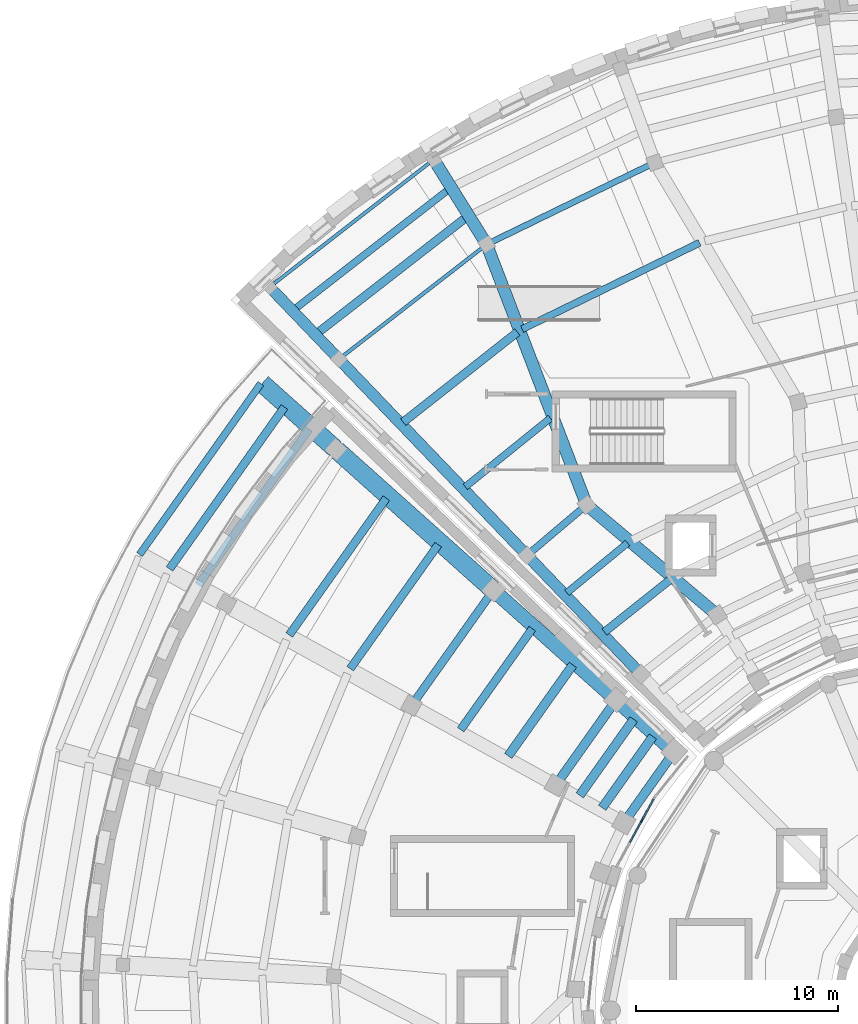
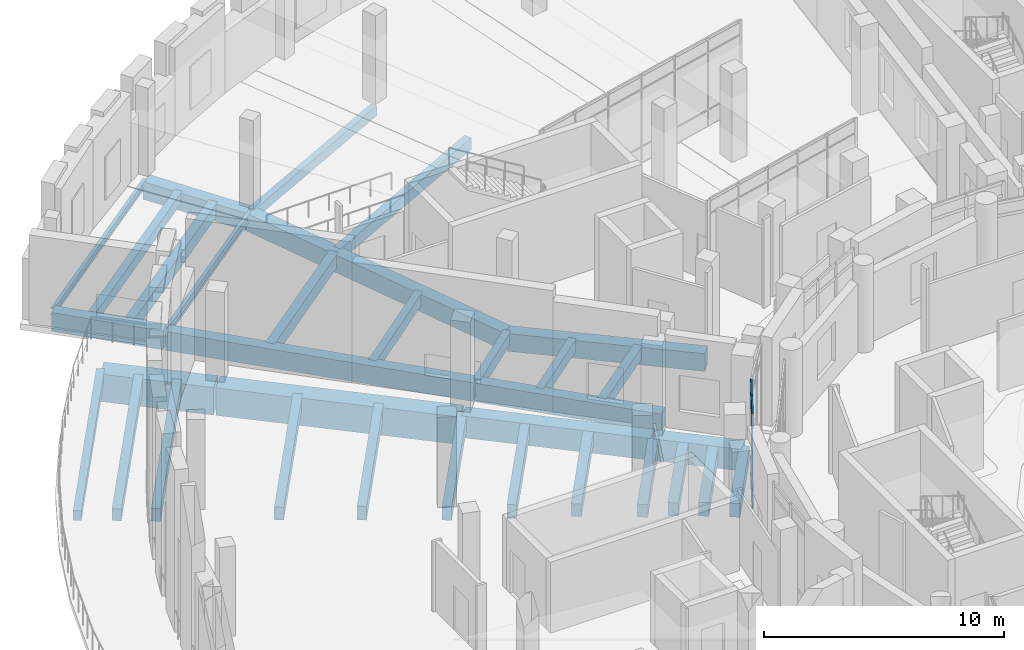
# One storey, part 18 of 75: 33 beams, 9 members, 1 element without a shape of its own.
"""IFC4 building model written with IfcOpenShell, lengths in metres."""

import ifcopenshell
import ifcopenshell.guid

model = None  # the IFC model being written
_history = None  # IfcOwnerHistory: only IFC2X3 demands one
_inside = {}  # id of a spatial element -> (the spatial element, [elements in it])
_under = {}  # id of a project, library or spatial element -> (it, [spatial elements below it])
_declared = {}  # id of a project -> (the project, [libraries it declares])
_typed = {}  # id of a type object -> (the type object, [elements of that type])
_made_of = {}  # id of a material, layer set ... -> (it, [elements and type objects made of it])


def new_model(schema):
    """Start an empty IFC model of exactly this schema.

    Asked for "IFC4X3", IfcOpenShell would pick the latest addendum, in which some entities
    have other attributes; the version numbers below select the first issue.
    IFC2X3 requires an IfcOwnerHistory on every rooted entity: one is made here for all.
    """
    global model, _history
    if schema == "IFC4X3":
        model = ifcopenshell.file(schema_version=(4, 3, 0, 0))
    else:
        model = ifcopenshell.file(schema=schema)
    _inside.clear()
    _under.clear()
    _declared.clear()
    _typed.clear()
    _made_of.clear()
    _history = None
    if model.schema == "IFC2X3":
        org = make("IfcOrganization", Name="unknown")
        user = make(
            "IfcPersonAndOrganization",
            ThePerson=make("IfcPerson", FamilyName="unknown"),
            TheOrganization=org,
        )
        app = make(
            "IfcApplication",
            ApplicationDeveloper=org,
            Version="unknown",
            ApplicationFullName="unknown",
            ApplicationIdentifier="unknown",
        )
        _history = make(
            "IfcOwnerHistory",
            OwningUser=user,
            OwningApplication=app,
            ChangeAction="ADDED",
            CreationDate=0,
        )
    return model


def make(cls, **values):
    """One entity of the class cls with the attributes given. An attribute that is None is left unset."""
    return model.create_entity(
        cls, **{name: value for name, value in values.items() if value is not None}
    )


def rooted(cls, **values):
    """An entity with a GlobalId (a new one), such as an element, a storey or a relation."""
    return make(cls, GlobalId=ifcopenshell.guid.new(), OwnerHistory=_history, **values)


def si_unit(unit_type, name, prefix=None):
    """IfcSIUnit, for example si_unit("LENGTHUNIT", "METRE", prefix="MILLI")."""
    return make("IfcSIUnit", UnitType=unit_type, Prefix=prefix, Name=name)


def assignment(units):
    """IfcUnitAssignment: the units of a project."""
    return None if units is None else make("IfcUnitAssignment", Units=units)


def point(xyz):
    """IfcCartesianPoint."""
    return None if xyz is None else make("IfcCartesianPoint", Coordinates=xyz)


def direction(xyz):
    """IfcDirection."""
    return None if xyz is None else make("IfcDirection", DirectionRatios=xyz)


def frame(location, z_axis=None, x_axis=None):
    """IfcAxis2Placement3D, a coordinate frame: its origin and axes. An axis left out is left unset."""
    return make(
        "IfcAxis2Placement3D",
        Location=point(location),
        Axis=direction(z_axis),
        RefDirection=direction(x_axis),
    )


def frame_2d(location, x_axis=None):
    """IfcAxis2Placement2D, a coordinate frame in the plane: its origin and x axis."""
    return make(
        "IfcAxis2Placement2D", Location=point(location), RefDirection=direction(x_axis)
    )


def origin():
    """The frame at (0, 0, 0) with its axes left unset."""
    return frame((0.0, 0.0, 0.0))


def origin_2d():
    """The frame at (0, 0) in the plane with its x axis left unset."""
    return frame_2d((0.0, 0.0))


def place(relative_to, where):
    """IfcLocalPlacement: puts the frame where relative to a parent placement (None: the world)."""
    return make(
        "IfcLocalPlacement", PlacementRelTo=relative_to, RelativePlacement=where
    )


def context(
    kind, dimensions, precision=None, world=None, true_north=None, identifier=None
):
    """IfcGeometricRepresentationContext, for example the 3D "Model" context."""
    return make(
        "IfcGeometricRepresentationContext",
        ContextIdentifier=identifier,
        ContextType=kind,
        CoordinateSpaceDimension=dimensions,
        Precision=precision,
        WorldCoordinateSystem=world,
        TrueNorth=true_north,
    )


def subcontext(parent, identifier, kind, view, scale=None):
    """IfcGeometricRepresentationSubContext, for example "Body" below "Model"."""
    return make(
        "IfcGeometricRepresentationSubContext",
        ContextIdentifier=identifier,
        ContextType=kind,
        ParentContext=parent,
        TargetScale=scale,
        TargetView=view,
    )


def project(units=None, contexts=None):
    """IfcProject with its units and contexts."""
    return rooted(
        "IfcProject",
        Name="project",
        RepresentationContexts=contexts,
        UnitsInContext=assignment(units),
    )


def spatial(cls, under=None, at=None, **own):
    """A site, building, storey or space (cls), placed at a placement, below another one or the project."""
    s = rooted(cls, ObjectPlacement=at, **own)
    if under is not None:
        _under.setdefault(under.id(), (under, []))[1].append(s)
    return s


def profile(cls, at=None, kind="AREA", **sizes):
    """A parametric profile (cls). Its sizes go by their IFC names, for example OverallWidth=200.0."""
    return make(cls, ProfileType=kind, Position=at, **sizes)


def rectangle(**sizes):
    """IfcRectangleProfileDef."""
    return profile("IfcRectangleProfileDef", **sizes)


def i_section(**sizes):
    """IfcIShapeProfileDef."""
    return profile("IfcIShapeProfileDef", **sizes)


def extrude(swept, where, along, depth):
    """IfcExtrudedAreaSolid: the profile swept, set in the frame where, extruded along a direction by depth."""
    return make(
        "IfcExtrudedAreaSolid",
        SweptArea=swept,
        Position=where,
        ExtrudedDirection=direction(along),
        Depth=depth,
    )


def shape(context_of_items, identifier, shape_type, items):
    """IfcShapeRepresentation: the items that make up one representation, for example the "Body"."""
    return make(
        "IfcShapeRepresentation",
        ContextOfItems=context_of_items,
        RepresentationIdentifier=identifier,
        RepresentationType=shape_type,
        Items=items,
    )


def material(Name=None, Category=None):
    """IfcMaterial."""
    return make("IfcMaterial", Name=Name, Category=Category)


def material_profile(
    of_material, cross_section, Name=None, Category=None, Priority=None
):
    """IfcMaterialProfile: a cross section and its material."""
    return make(
        "IfcMaterialProfile",
        Name=Name,
        Material=of_material,
        Profile=cross_section,
        Priority=Priority,
        Category=Category,
    )


def profile_set(profiles, Name=None, composite=None):
    """IfcMaterialProfileSet."""
    return make(
        "IfcMaterialProfileSet",
        Name=Name,
        MaterialProfiles=profiles,
        CompositeProfile=composite,
    )


def made_of(thing, what):
    """Note that an element or type object is made of a material, layer set ...; save() writes the relation."""
    if what is not None:
        _made_of.setdefault(what.id(), (what, []))[1].append(thing)
    return thing


def type_object(cls, material=None, **own):
    """A type object (cls), such as IfcWallType, which elements share."""
    return made_of(rooted(cls, **own), material)


def element(
    cls,
    number,
    at=None,
    inside=None,
    cuts=None,
    type_object=None,
    material=None,
    context=None,
    identifier="Body",
    shape_type=None,
    held_by="IfcProductDefinitionShape",
    body=None,
    shapes=None,
    **own,
):
    """One element of the class cls, such as IfcWall. Its Tag is "e" and its number.

    at: its placement. inside: the storey or other place that contains it. cuts: it is an
    opening in that element (IfcRelVoidsElement). A single representation is given by context,
    identifier, shape_type and body (its items); several are given by shapes. held_by: the class
    of the entity that holds the representations. save() writes the other relations.
    """
    e = rooted(cls, Tag="e%d" % number, ObjectPlacement=at, **own)
    if body is not None:
        shapes = [shape(context, identifier, shape_type, body)]
    if shapes is not None:
        e.Representation = make(held_by, Representations=shapes)
    if inside is not None:
        _inside.setdefault(inside.id(), (inside, []))[1].append(e)
    if cuts is not None:
        rooted(
            "IfcRelVoidsElement", RelatingBuildingElement=cuts, RelatedOpeningElement=e
        )
    if type_object is not None:
        _typed.setdefault(type_object.id(), (type_object, []))[1].append(e)
    return made_of(e, material)


def aggregate(whole, parts):
    """IfcRelAggregates: a whole, such as a stair, and the parts it consists of."""
    return rooted("IfcRelAggregates", RelatingObject=whole, RelatedObjects=parts)


def save(model, path):
    """Write the relations noted so far, then the file.

    IfcRelAggregates (storeys below a building ...), IfcRelContainedInSpatialStructure (elements
    in a storey), IfcRelDefinesByType, IfcRelAssociatesMaterial and IfcRelDeclares: one each for
    every whole, place, type object, material and project.
    """
    for whole, parts in _under.values():
        aggregate(whole, parts)
    for where, things in _inside.values():
        rooted(
            "IfcRelContainedInSpatialStructure",
            RelatedElements=things,
            RelatingStructure=where,
        )
    for kind, things in _typed.values():
        rooted("IfcRelDefinesByType", RelatedObjects=things, RelatingType=kind)
    for what, things in _made_of.values():
        rooted("IfcRelAssociatesMaterial", RelatedObjects=things, RelatingMaterial=what)
    for by, libraries in _declared.values():
        rooted("IfcRelDeclares", RelatingContext=by, RelatedDefinitions=libraries)
    model.write(path)


model = new_model("IFC4")

# Units and contexts
model_context = context("Model", 3, precision=1e-05, world=origin(), true_north=direction((0.0, 1.0)))
body_context = subcontext(model_context, "Body", "Model", "MODEL_VIEW")
ifc_project = project(units=[si_unit("LENGTHUNIT", "METRE"), si_unit("AREAUNIT", "SQUARE_METRE"), si_unit("VOLUMEUNIT", "CUBIC_METRE"), si_unit("PLANEANGLEUNIT", "RADIAN"), si_unit("MASSUNIT", "GRAM", prefix="KILO")], contexts=[model_context])

# Site, building, storey
site_placement = place(None, origin())
site = spatial("IfcSite", under=ifc_project, at=site_placement, CompositionType="ELEMENT")
building_placement = place(site_placement, origin())
building = spatial("IfcBuilding", under=site, at=building_placement, Name="Soyqirgoq Riverine Aquarium", CompositionType="ELEMENT")
storey_placement = place(building_placement, frame((0.0, 0.0, 10.199951171875)))
storey = spatial("IfcBuildingStorey", under=building, at=storey_placement, Name="L03", CompositionType="ELEMENT", Elevation=10.199951171875)

# Beams
ifc_material_1 = material(Name="Concrete C40/50", Category="concrete")
ifc_material_profile_1 = material_profile(ifc_material_1, rectangle(XDim=0.35009765625, YDim=0.60009765625, at=origin_2d()), Name="RC 350x600")
ifc_profile_set_1 = profile_set([ifc_material_profile_1], Name="Concrete C40/50")
beam_type_1 = type_object("IfcBeamType", Name="Beam_RC_350x600", PredefinedType="JOIST", material=ifc_profile_set_1)
beam_1_placement = place(storey_placement, frame((39.37939453125, 80.12939453125, -0.599853515625), z_axis=(-0.773357757344, -0.633969856662, 0.0), x_axis=(0.633969856662, -0.773357757344, 0.0)))
element("IfcBeam", 1, at=beam_1_placement, inside=storey, type_object=beam_type_1, Name="V4 L03 Secondary Floor Joist 0649", PredefinedType="JOIST", context=body_context, shape_type="SweptSolid", body=[
    extrude(rectangle(XDim=0.35009765625, YDim=0.60009765625, at=origin_2d()), origin(), (0.0, 0.0, 1.0), 3.884765625),
])
beam_2_placement = place(storey_placement, frame((37.31591796875, 81.983154296875, -0.599853515625), z_axis=(-0.763221409659, -0.646137044162, 0.0), x_axis=(0.646137044162, -0.763221409659, 0.0)))
element("IfcBeam", 2, at=beam_2_placement, inside=storey, type_object=beam_type_1, Name="V4 L03 Wedge Chord Beam 0652", PredefinedType="JOIST", context=body_context, shape_type="SweptSolid", body=[
    extrude(rectangle(XDim=0.35009765625, YDim=0.60009765625, at=origin_2d()), origin(), (0.0, 0.0, 1.0), 3.763671875),
])
beam_3_placement = place(storey_placement, frame((42.94287109375, 94.98583984375, -0.599853515625), z_axis=(-0.899181906839, -0.437575020326, 0.0), x_axis=(0.437575020326, -0.899181906839, 0.0)))
element("IfcBeam", 3, at=beam_3_placement, inside=storey, type_object=beam_type_1, Name="V4 L03 Secondary Floor Joist 0657", PredefinedType="JOIST", context=body_context, shape_type="SweptSolid", body=[
    extrude(rectangle(XDim=0.35009765625, YDim=0.60009765625, at=origin_2d()), origin(), (0.0, 0.0, 1.0), 9.762939453125),
])
beam_4_placement = place(storey_placement, frame((35.5625, 86.310302734375, -0.599853515625), z_axis=(-0.777984399039, -0.628283594288, 0.0), x_axis=(0.628283594288, -0.777984399039, 0.0)))
element("IfcBeam", 4, at=beam_4_placement, inside=storey, type_object=beam_type_1, Name="V4 L03 Secondary Floor Joist 0658", PredefinedType="JOIST", context=body_context, shape_type="SweptSolid", body=[
    extrude(rectangle(XDim=0.35009765625, YDim=0.60009765625, at=origin_2d()), origin(), (0.0, 0.0, 1.0), 5.416015625),
])
ifc_material_2 = material(Name="Concrete C40/50", Category="concrete")
ifc_material_profile_2 = material_profile(ifc_material_2, rectangle(XDim=0.39990234375, YDim=0.60009765625, at=origin_2d()), Name="RC 400x600")
ifc_profile_set_2 = profile_set([ifc_material_profile_2], Name="Concrete C40/50")
beam_type_2 = type_object("IfcBeamType", Name="Beam_RC_400x600", PredefinedType="JOIST", material=ifc_profile_set_2)
beam_5_placement = place(storey_placement, frame((22.3974609375, 86.857421875, -0.579833984375), z_axis=(-0.578552362778, -0.815645243671, 0.0), x_axis=(0.815645243671, -0.578552362778, 0.0)))
element("IfcBeam", 5, at=beam_5_placement, inside=storey, type_object=beam_type_2, Name="V3 L03 Secondary Floor Joist 0455", PredefinedType="JOIST", context=body_context, shape_type="SweptSolid", body=[
    extrude(rectangle(XDim=0.39990234375, YDim=0.60009765625, at=origin_2d()), origin(), (0.0, 0.0, 1.0), 9.822509765625),
])
beam_6_placement = place(storey_placement, frame((41.51171875, 78.33349609375, -0.599853515625), z_axis=(-0.78199960061, -0.623278930051, 0.0), x_axis=(0.623278930051, -0.78199960061, 0.0)))
element("IfcBeam", 6, at=beam_6_placement, inside=storey, type_object=beam_type_2, Name="V4 L03 Secondary Floor Joist 0648", PredefinedType="JOIST", context=body_context, shape_type="SweptSolid", body=[
    extrude(rectangle(XDim=0.39990234375, YDim=0.60009765625, at=origin_2d()), origin(), (0.0, 0.0, 1.0), 4.18701171875),
])
ifc_material_3 = material(Name="Concrete C40/50", Category="concrete")
ifc_material_profile_3 = material_profile(ifc_material_3, rectangle(XDim=0.39990234375, YDim=0.64990234375, at=origin_2d()), Name="RC 400x650")
ifc_profile_set_3 = profile_set([ifc_material_profile_3], Name="Concrete C40/50")
beam_type_3 = type_object("IfcBeamType", Name="Beam_RC_400x650", PredefinedType="BEAM", material=ifc_profile_set_3)
beam_7_placement = place(storey_placement, frame((27.440673828125, 82.348388671875, -0.60498046875), z_axis=(-0.57857035961, -0.815632477885, 0.0), x_axis=(0.815632477885, -0.57857035961, 0.0)))
element("IfcBeam", 7, at=beam_7_placement, inside=storey, type_object=beam_type_3, Name="V3 L03 Secondary Floor Joist 0443", PredefinedType="BEAM", context=body_context, shape_type="SweptSolid", body=[
    extrude(rectangle(XDim=0.39990234375, YDim=0.64990234375, at=origin_2d()), origin(), (0.0, 0.0, 1.0), 8.302734375),
])
beam_8_placement = place(storey_placement, frame((23.615234375, 85.768798828125, -0.60498046875), z_axis=(-0.578563092145, -0.815637633026, 0.0), x_axis=(0.815637633026, -0.578563092145, 0.0)))
element("IfcBeam", 8, at=beam_8_placement, inside=storey, type_object=beam_type_3, Name="V3 L03 Secondary Floor Joist 0454", PredefinedType="BEAM", context=body_context, shape_type="SweptSolid", body=[
    extrude(rectangle(XDim=0.39990234375, YDim=0.64990234375, at=origin_2d()), origin(), (0.0, 0.0, 1.0), 9.45556640625),
])
ifc_material_4 = material(Name="Concrete C40/50", Category="concrete")
ifc_material_profile_4 = material_profile(ifc_material_4, rectangle(XDim=0.39990234375, YDim=0.699951171875, at=origin_2d()), Name="RC 400x700")
ifc_profile_set_4 = profile_set([ifc_material_profile_4], Name="Concrete C40/50")
beam_type_4 = type_object("IfcBeamType", Name="Beam_RC_400x700", PredefinedType="BEAM", material=ifc_profile_set_4)
beam_9_placement = place(storey_placement, frame((34.6650390625, 75.888916015625, -0.6298828125), z_axis=(-0.578565717674, -0.815635770631, 0.0), x_axis=(0.815635770631, -0.578565717674, 0.0)))
element("IfcBeam", 9, at=beam_9_placement, inside=storey, type_object=beam_type_4, Name="V3 L03 Secondary Floor Joist 0437", PredefinedType="BEAM", context=body_context, shape_type="SweptSolid", body=[
    extrude(rectangle(XDim=0.39990234375, YDim=0.699951171875, at=origin_2d()), origin(), (0.0, 0.0, 1.0), 6.12548828125),
])
beam_10_placement = place(storey_placement, frame((32.712158203125, 77.7548828125, -0.6298828125), z_axis=(-0.578577957478, -0.81562708827, 0.0), x_axis=(0.81562708827, -0.578577957478, 0.0)))
element("IfcBeam", 10, at=beam_10_placement, inside=storey, type_object=beam_type_4, Name="V3 L03 Wedge Chord Beam 0438", PredefinedType="BEAM", context=body_context, shape_type="SweptSolid", body=[
    extrude(rectangle(XDim=0.39990234375, YDim=0.699951171875, at=origin_2d()), origin(), (0.0, 0.0, 1.0), 6.90966796875),
])
beam_11_placement = place(storey_placement, frame((30.011474609375, 80.0498046875, -0.6298828125), z_axis=(-0.578566097218, -0.815635501403, 0.0), x_axis=(0.815635501403, -0.578566097218, 0.0)))
element("IfcBeam", 11, at=beam_11_placement, inside=storey, type_object=beam_type_4, Name="V3 L03 Secondary Floor Joist 0442", PredefinedType="BEAM", context=body_context, shape_type="SweptSolid", body=[
    extrude(rectangle(XDim=0.39990234375, YDim=0.699951171875, at=origin_2d()), origin(), (0.0, 0.0, 1.0), 7.528076171875),
])
ifc_material_5 = material(Name="Concrete C40/50", Category="concrete")
ifc_material_profile_5 = material_profile(ifc_material_5, rectangle(XDim=0.419921875, YDim=0.679931640625, at=origin_2d()), Name="RC 420x680")
ifc_profile_set_5 = profile_set([ifc_material_profile_5], Name="Concrete C40/50")
beam_type_5 = type_object("IfcBeamType", Name="Beam_RC_420x680", PredefinedType="BEAM", material=ifc_profile_set_5)
beam_12_placement = place(storey_placement, frame((33.928466796875, 90.56591796875, -0.639892578125), z_axis=(-0.785202231004, -0.619239417694, 0.0), x_axis=(0.619239417694, -0.785202231004, 0.0)))
element("IfcBeam", 12, at=beam_12_placement, inside=storey, type_object=beam_type_5, Name="V4 L03 Secondary Floor Joist 0659", PredefinedType="BEAM", context=body_context, shape_type="SweptSolid", body=[
    extrude(rectangle(XDim=0.419921875, YDim=0.679931640625, at=origin_2d()), origin(), (0.0, 0.0, 1.0), 7.1962890625),
])
beam_13_placement = place(storey_placement, frame((31.4052734375, 96.24951171875, -0.639892578125), z_axis=(-0.789610111246, -0.6136088919, 0.0), x_axis=(0.6136088919, -0.789610111246, 0.0)))
element("IfcBeam", 13, at=beam_13_placement, inside=storey, type_object=beam_type_5, Name="V4 L03 Secondary Floor Joist 0670", PredefinedType="BEAM", context=body_context, shape_type="SweptSolid", body=[
    extrude(rectangle(XDim=0.419921875, YDim=0.679931640625, at=origin_2d()), origin(), (0.0, 0.0, 1.0), 9.325927734375),
])
ifc_material_6 = material(Name="Concrete C40/50", Category="concrete")
ifc_material_profile_6 = material_profile(ifc_material_6, rectangle(XDim=0.449951171875, YDim=0.64990234375, at=origin_2d()), Name="RC 450x650")
ifc_profile_set_6 = profile_set([ifc_material_profile_6], Name="Concrete C40/50")
beam_type_6 = type_object("IfcBeamType", Name="Beam_RC_450x650", PredefinedType="BEAM", material=ifc_profile_set_6)
beam_14_placement = place(storey_placement, frame((39.682861328125, 71.402587890625, -0.60498046875), z_axis=(-0.578551706163, -0.81564570942, 0.0), x_axis=(0.81564570942, -0.578551706163, 0.0)))
element("IfcBeam", 14, at=beam_14_placement, inside=storey, type_object=beam_type_6, Name="V3 L03 Secondary Floor Joist 0434", PredefinedType="BEAM", context=body_context, shape_type="SweptSolid", body=[
    extrude(rectangle(XDim=0.449951171875, YDim=0.64990234375, at=origin_2d()), origin(), (0.0, 0.0, 1.0), 4.613037109375),
])
beam_15_placement = place(storey_placement, frame((38.787841796875, 72.32275390625, -0.60498046875), z_axis=(-0.578584051574, -0.815622765293, 0.0), x_axis=(0.815622765293, -0.578584051574, 0.0)))
element("IfcBeam", 15, at=beam_15_placement, inside=storey, type_object=beam_type_6, Name="V3 L03 Wedge Chord Beam 0435", PredefinedType="BEAM", context=body_context, shape_type="SweptSolid", body=[
    extrude(rectangle(XDim=0.449951171875, YDim=0.64990234375, at=origin_2d()), origin(), (0.0, 0.0, 1.0), 5.078857421875),
])
beam_16_placement = place(storey_placement, frame((36.670166015625, 74.096435546875, -0.60498046875), z_axis=(-0.578579091577, -0.815626283778, 0.0), x_axis=(0.815626283778, -0.578579091577, 0.0)))
element("IfcBeam", 16, at=beam_16_placement, inside=storey, type_object=beam_type_6, Name="V3 L03 Secondary Floor Joist 0436", PredefinedType="BEAM", context=body_context, shape_type="SweptSolid", body=[
    extrude(rectangle(XDim=0.449951171875, YDim=0.64990234375, at=origin_2d()), origin(), (0.0, 0.0, 1.0), 5.521484375),
])
ifc_material_7 = material(Name="Concrete C40/50", Category="concrete")
ifc_material_profile_7 = material_profile(ifc_material_7, rectangle(XDim=0.449951171875, YDim=0.699951171875, at=origin_2d()), Name="RC 450x700")
ifc_profile_set_7 = profile_set([ifc_material_profile_7], Name="Concrete C40/50")
beam_type_7 = type_object("IfcBeamType", Name="Beam_RC_450x700", PredefinedType="BEAM", material=ifc_profile_set_7)
beam_17_placement = place(storey_placement, frame((41.657958984375, 69.756591796875, -0.6298828125), z_axis=(-0.578587890745, -0.81562004186, 0.0), x_axis=(0.81562004186, -0.578587890745, 0.0)))
element("IfcBeam", 17, at=beam_17_placement, inside=storey, type_object=beam_type_7, Name="V3 L03 Wedge Chord Beam 0429", PredefinedType="BEAM", context=body_context, shape_type="SweptSolid", body=[
    extrude(rectangle(XDim=0.449951171875, YDim=0.699951171875, at=origin_2d()), origin(), (0.0, 0.0, 1.0), 4.213623046875),
])
beam_18_placement = place(storey_placement, frame((40.630126953125, 70.5556640625, -0.6298828125), z_axis=(-0.578577557542, -0.815627371971, 0.0), x_axis=(0.815627371971, -0.578577557542, 0.0)))
element("IfcBeam", 18, at=beam_18_placement, inside=storey, type_object=beam_type_7, Name="V3 L03 Secondary Floor Joist 0433", PredefinedType="BEAM", context=body_context, shape_type="SweptSolid", body=[
    extrude(rectangle(XDim=0.449951171875, YDim=0.699951171875, at=origin_2d()), origin(), (0.0, 0.0, 1.0), 4.32763671875),
])

# Curtain wall, members
ifc_material_8 = material(Name="Anodised aluminium thermally broken double low-E glazing", Category="aluminium")
curtain_wall_type = type_object("IfcCurtainWallType", Name="CW_Wedge_NorthBay", PredefinedType="NOTDEFINED", material=ifc_material_8)
curtain_wall_placement = place(storey_placement, origin())
curtain_wall = element("IfcCurtainWall", 19, at=curtain_wall_placement, inside=storey, type_object=curtain_wall_type, Name="V3 L03 Curtain Wall 085", PredefinedType="NOTDEFINED")
ifc_material_9 = material(Name="Anodised aluminium 6063-T6", Category="aluminium")
ifc_material_profile_8 = material_profile(ifc_material_9, rectangle(XDim=0.080078125, YDim=0.219970703125, at=origin_2d()), Name="ALU-M 80x220")
ifc_profile_set_8 = profile_set([ifc_material_profile_8], Name="Anodised aluminium 6063-T6")
member_type_1 = type_object("IfcMemberType", Name="CWMullion_80x220", PredefinedType="MULLION", material=ifc_profile_set_8)
member_1_placement = place(storey_placement, frame((40.089111328125, 66.400390625, 0.0), z_axis=(0.0, 0.0, 1.0), x_axis=(0.876811350866, -0.480834540141, 0.0)))
member_1 = element("IfcMember", 20, at=member_1_placement, type_object=member_type_1, Name="CW-03 mullion 2", PredefinedType="MULLION", context=body_context, shape_type="SweptSolid", body=[
    extrude(rectangle(XDim=0.080078125, YDim=0.219970703125, at=origin_2d()), origin(), (0.0, 0.0, 1.0), 4.81005859375),
])
ifc_material_10 = material(Name="Anodised aluminium 6063-T6", Category="aluminium")
ifc_material_profile_9 = material_profile(ifc_material_10, rectangle(XDim=0.074951171875, YDim=0.14990234375, at=origin_2d()), Name="ALU-T 75x150")
ifc_profile_set_9 = profile_set([ifc_material_profile_9], Name="Anodised aluminium 6063-T6")
member_type_2 = type_object("IfcMemberType", Name="CWTransom_75x150", PredefinedType="USERDEFINED", material=ifc_profile_set_9)
member_2_placement = place(storey_placement, frame((40.668701171875, 67.457763671875, 0.03759765625), z_axis=(-0.480817030649, -0.876820952668, 0.0), x_axis=(0.876820952668, -0.480817030649, 0.0)))
member_2 = element("IfcMember", 21, at=member_2_placement, type_object=member_type_2, Name="CW-03 transom 1.1", ObjectType="TRANSOM", PredefinedType="USERDEFINED", context=body_context, shape_type="SweptSolid", body=[
    extrude(rectangle(XDim=0.074951171875, YDim=0.14990234375, at=origin_2d()), origin(), (0.0, 0.0, 1.0), 1.165771484375),
])
member_3_placement = place(storey_placement, frame((40.668701171875, 67.457763671875, 0.900146484375), z_axis=(-0.480817030649, -0.876820952668, 0.0), x_axis=(0.876820952668, -0.480817030649, 0.0)))
member_3 = element("IfcMember", 22, at=member_3_placement, type_object=member_type_2, Name="CW-03 transom 1.2", ObjectType="TRANSOM", PredefinedType="USERDEFINED", context=body_context, shape_type="SweptSolid", body=[
    extrude(rectangle(XDim=0.074951171875, YDim=0.14990234375, at=origin_2d()), origin(), (0.0, 0.0, 1.0), 1.165771484375),
])
member_4_placement = place(storey_placement, frame((40.668701171875, 67.457763671875, 4.110107421875), z_axis=(-0.480817030649, -0.876820952668, 0.0), x_axis=(0.876820952668, -0.480817030649, 0.0)))
member_4 = element("IfcMember", 23, at=member_4_placement, type_object=member_type_2, Name="CW-03 transom 1.3", ObjectType="TRANSOM", PredefinedType="USERDEFINED", context=body_context, shape_type="SweptSolid", body=[
    extrude(rectangle(XDim=0.074951171875, YDim=0.14990234375, at=origin_2d()), origin(), (0.0, 0.0, 1.0), 1.165771484375),
])
member_5_placement = place(storey_placement, frame((40.668701171875, 67.457763671875, 4.7724609375), z_axis=(-0.480817030649, -0.876820952668, 0.0), x_axis=(0.876820952668, -0.480817030649, 0.0)))
member_5 = element("IfcMember", 24, at=member_5_placement, type_object=member_type_2, Name="CW-03 transom 1.4", ObjectType="TRANSOM", PredefinedType="USERDEFINED", context=body_context, shape_type="SweptSolid", body=[
    extrude(rectangle(XDim=0.074951171875, YDim=0.14990234375, at=origin_2d()), origin(), (0.0, 0.0, 1.0), 1.165771484375),
])
member_6_placement = place(storey_placement, frame((40.06982421875, 66.365478515625, 0.03759765625), z_axis=(-0.480907934802, -0.876771097975, 0.0), x_axis=(0.876771097975, -0.480907934802, 0.0)))
member_6 = element("IfcMember", 25, at=member_6_placement, type_object=member_type_2, Name="CW-03 transom 2.1", ObjectType="TRANSOM", PredefinedType="USERDEFINED", context=body_context, shape_type="SweptSolid", body=[
    extrude(rectangle(XDim=0.074951171875, YDim=0.14990234375, at=origin_2d()), origin(), (0.0, 0.0, 1.0), 1.205810546875),
])
member_7_placement = place(storey_placement, frame((40.06982421875, 66.365478515625, 0.900146484375), z_axis=(-0.480907934802, -0.876771097975, 0.0), x_axis=(0.876771097975, -0.480907934802, 0.0)))
member_7 = element("IfcMember", 26, at=member_7_placement, type_object=member_type_2, Name="CW-03 transom 2.2", ObjectType="TRANSOM", PredefinedType="USERDEFINED", context=body_context, shape_type="SweptSolid", body=[
    extrude(rectangle(XDim=0.074951171875, YDim=0.14990234375, at=origin_2d()), origin(), (0.0, 0.0, 1.0), 1.205810546875),
])
member_8_placement = place(storey_placement, frame((40.06982421875, 66.365478515625, 4.110107421875), z_axis=(-0.480907934802, -0.876771097975, 0.0), x_axis=(0.876771097975, -0.480907934802, 0.0)))
member_8 = element("IfcMember", 27, at=member_8_placement, type_object=member_type_2, Name="CW-03 transom 2.3", ObjectType="TRANSOM", PredefinedType="USERDEFINED", context=body_context, shape_type="SweptSolid", body=[
    extrude(rectangle(XDim=0.074951171875, YDim=0.14990234375, at=origin_2d()), origin(), (0.0, 0.0, 1.0), 1.205810546875),
])
member_9_placement = place(storey_placement, frame((40.06982421875, 66.365478515625, 4.7724609375), z_axis=(-0.480907934802, -0.876771097975, 0.0), x_axis=(0.876771097975, -0.480907934802, 0.0)))
member_9 = element("IfcMember", 28, at=member_9_placement, type_object=member_type_2, Name="CW-03 transom 2.4", ObjectType="TRANSOM", PredefinedType="USERDEFINED", context=body_context, shape_type="SweptSolid", body=[
    extrude(rectangle(XDim=0.074951171875, YDim=0.14990234375, at=origin_2d()), origin(), (0.0, 0.0, 1.0), 1.205810546875),
])
aggregate(curtain_wall, [member_1, member_2, member_3, member_4, member_5, member_6, member_7, member_8, member_9])

# Beams
ifc_material_11 = material(Name="Concrete C40/50", Category="concrete")
ifc_material_profile_10 = material_profile(ifc_material_11, rectangle(XDim=0.550048828125, YDim=0.949951171875, at=origin_2d()), Name="RC 550x950")
ifc_profile_set_10 = profile_set([ifc_material_profile_10], Name="Concrete C40/50")
beam_type_8 = type_object("IfcBeamType", Name="Girder_RC_550x950", PredefinedType="BEAM", material=ifc_profile_set_10)
beam_19_placement = place(storey_placement, frame((40.011474609375, 73.672607421875, -0.77490234375), z_axis=(-0.692136531124, 0.721766598204, 0.0), x_axis=(-0.721766598204, -0.692136531124, 0.0)))
element("IfcBeam", 29, at=beam_19_placement, inside=storey, type_object=beam_type_8, Name="V4 L03 Wedge Radial Girder 0623", PredefinedType="BEAM", context=body_context, shape_type="SweptSolid", body=[
    extrude(rectangle(XDim=0.550048828125, YDim=0.949951171875, at=origin_2d()), origin(), (0.0, 0.0, 1.0), 8.050048828125),
])
beam_20_placement = place(storey_placement, frame((34.37060546875, 79.554931640625, -0.77490234375), z_axis=(-0.69214801098, 0.721755589446, 0.0), x_axis=(-0.721755589446, -0.69214801098, 0.0)))
element("IfcBeam", 30, at=beam_20_placement, inside=storey, type_object=beam_type_8, Name="V4 L03 Wedge Radial Girder 0624", PredefinedType="BEAM", context=body_context, shape_type="SweptSolid", body=[
    extrude(rectangle(XDim=0.550048828125, YDim=0.949951171875, at=origin_2d()), origin(), (0.0, 0.0, 1.0), 13.35009765625),
])
beam_21_placement = place(storey_placement, frame((25.061279296875, 89.2626953125, -0.77490234375), z_axis=(-0.69215241344, 0.721751367556, 0.0), x_axis=(-0.721751367556, -0.69215241344, 0.0)))
element("IfcBeam", 31, at=beam_21_placement, inside=storey, type_object=beam_type_8, Name="V4 L03 Wedge Radial Girder 0625", PredefinedType="BEAM", context=body_context, shape_type="SweptSolid", body=[
    extrude(rectangle(XDim=0.550048828125, YDim=0.949951171875, at=origin_2d()), origin(), (0.0, 0.0, 1.0), 4.85009765625),
])
ifc_material_12 = material(Name="Concrete C40/50", Category="concrete")
ifc_material_profile_11 = material_profile(ifc_material_12, rectangle(XDim=0.60009765625, YDim=0.89990234375, at=origin_2d()), Name="RC 600x900")
ifc_profile_set_11 = profile_set([ifc_material_profile_11], Name="Concrete C40/50")
beam_type_9 = type_object("IfcBeamType", Name="Girder_RC_600x900", PredefinedType="BEAM", material=ifc_profile_set_11)
beam_22_placement = place(storey_placement, frame((43.78125, 76.60107421875, -0.75), z_axis=(-0.764796747937, 0.644271630871, 0.0), x_axis=(-0.644271630871, -0.764796747937, 0.0)))
element("IfcBeam", 32, at=beam_22_placement, inside=storey, type_object=beam_type_9, Name="V4 L03 Wedge Radial Girder 0619", PredefinedType="BEAM", context=body_context, shape_type="SweptSolid", body=[
    extrude(rectangle(XDim=0.60009765625, YDim=0.89990234375, at=origin_2d()), origin(), (0.0, 0.0, 1.0), 8.353759765625),
])
beam_23_placement = place(storey_placement, frame((37.336181640625, 82.06201171875, -0.75), z_axis=(-0.358396623266, 0.933569419182, 0.0), x_axis=(-0.933569419182, -0.358396623266, 0.0)))
element("IfcBeam", 33, at=beam_23_placement, inside=storey, type_object=beam_type_9, Name="V4 L03 Wedge Radial Girder 0620", PredefinedType="BEAM", context=body_context, shape_type="SweptSolid", body=[
    extrude(rectangle(XDim=0.60009765625, YDim=0.89990234375, at=origin_2d()), origin(), (0.0, 0.0, 1.0), 13.70849609375),
])
beam_24_placement = place(storey_placement, frame((32.37890625, 94.948974609375, -0.75), z_axis=(-0.5284325153, 0.848975309873, 0.0), x_axis=(-0.848975309873, -0.5284325153, 0.0)))
element("IfcBeam", 34, at=beam_24_placement, inside=storey, type_object=beam_type_9, Name="V4 L03 Wedge Radial Girder 0621", PredefinedType="BEAM", context=body_context, shape_type="SweptSolid", body=[
    extrude(rectangle(XDim=0.60009765625, YDim=0.89990234375, at=origin_2d()), origin(), (0.0, 0.0, 1.0), 4.85009765625),
])
ifc_material_13 = material(Name="Concrete C40/50", Category="concrete")
ifc_material_profile_12 = material_profile(ifc_material_13, rectangle(XDim=0.699951171875, YDim=1.10009765625, at=origin_2d()), Name="RC 700x1100")
ifc_profile_set_12 = profile_set([ifc_material_profile_12], Name="Concrete C40/50")
beam_type_10 = type_object("IfcBeamType", Name="Girder_RC_700x1100", PredefinedType="BEAM", material=ifc_profile_set_12)
beam_25_placement = place(storey_placement, frame((41.649658203125, 69.830810546875, -0.829833984375), z_axis=(-0.745488150962, 0.666518879534, 0.0), x_axis=(-0.666518879534, -0.745488150962, 0.0)))
element("IfcBeam", 35, at=beam_25_placement, inside=storey, type_object=beam_type_10, Name="V3 L03 Wedge Radial Girder 0412", PredefinedType="BEAM", context=body_context, shape_type="SweptSolid", body=[
    extrude(rectangle(XDim=0.699951171875, YDim=1.10009765625, at=origin_2d()), origin(), (0.0, 0.0, 1.0), 3.75),
])
beam_26_placement = place(storey_placement, frame((38.779541015625, 72.39697265625, -0.829833984375), z_axis=(-0.745490323656, 0.666516449411, 0.0), x_axis=(-0.666516449411, -0.745490323656, 0.0)))
element("IfcBeam", 36, at=beam_26_placement, inside=storey, type_object=beam_type_10, Name="V3 L03 Wedge Radial Girder 0413", PredefinedType="BEAM", context=body_context, shape_type="SweptSolid", body=[
    extrude(rectangle(XDim=0.699951171875, YDim=1.10009765625, at=origin_2d()), origin(), (0.0, 0.0, 1.0), 8.050048828125),
])
ifc_material_14 = material(Name="Concrete C40/50", Category="concrete")
ifc_material_profile_13 = material_profile(ifc_material_14, rectangle(XDim=0.300048828125, YDim=0.5, at=origin_2d()), Name="RC 300x500")
ifc_profile_set_13 = profile_set([ifc_material_profile_13], Name="Concrete C40/50")
beam_type_11 = type_object("IfcBeamType", Name="Spandrel_RC_300x500", PredefinedType="SPANDREL", material=ifc_profile_set_13)
beam_27_placement = place(storey_placement, frame((40.683837890625, 98.935302734375, -0.550048828125), z_axis=(-0.89918008806, -0.437578757753, 0.0), x_axis=(0.437578757753, -0.89918008806, 0.0)))
element("IfcBeam", 37, at=beam_27_placement, inside=storey, type_object=beam_type_11, Name="V4 L03 Wedge Chord Beam 0662", PredefinedType="SPANDREL", context=body_context, shape_type="SweptSolid", body=[
    extrude(rectangle(XDim=0.300048828125, YDim=0.5, at=origin_2d()), origin(), (0.0, 0.0, 1.0), 9.15673828125),
])
ifc_material_15 = material(Name="Concrete C40/50", Category="concrete")
ifc_material_profile_14 = material_profile(ifc_material_15, rectangle(XDim=0.35009765625, YDim=0.5, at=origin_2d()), Name="RC 350x500")
ifc_profile_set_14 = profile_set([ifc_material_profile_14], Name="Concrete C40/50")
beam_type_12 = type_object("IfcBeamType", Name="Spandrel_RC_350x500", PredefinedType="SPANDREL", material=ifc_profile_set_14)
beam_28_placement = place(storey_placement, frame((21.23193359375, 88.01953125, -0.530029296875), z_axis=(-0.578569198652, -0.815633301412, 0.0), x_axis=(0.815633301412, -0.578569198652, 0.0)))
element("IfcBeam", 38, at=beam_28_placement, inside=storey, type_object=beam_type_12, Name="V3 L03 Wedge Chord Beam 0462", PredefinedType="SPANDREL", context=body_context, shape_type="SweptSolid", body=[
    extrude(rectangle(XDim=0.35009765625, YDim=0.5, at=origin_2d()), origin(), (0.0, 0.0, 1.0), 10.36962890625),
])
ifc_material_16 = material(Name="Structural steel S355", Category="steel")
ifc_material_profile_15 = material_profile(ifc_material_16, i_section(OverallWidth=0.169921875, OverallDepth=0.360107421875, WebThickness=0.008056640625, FlangeThickness=0.0126953125, FilletRadius=0.01806640625, at=origin_2d()), Name="IPE 360")
ifc_profile_set_15 = profile_set([ifc_material_profile_15], Name="Structural steel S355")
beam_type_13 = type_object("IfcBeamType", Name="Spandrel_Steel_IPE360", PredefinedType="SPANDREL", material=ifc_profile_set_15)
beam_29_placement = place(storey_placement, frame((29.75, 99.078369140625, -0.47998046875), z_axis=(-0.78962066325, -0.613595313027, 0.0), x_axis=(0.613595313027, -0.78962066325, 0.0)))
element("IfcBeam", 39, at=beam_29_placement, inside=storey, type_object=beam_type_13, Name="V4 L03 Wedge Chord Beam 0675", PredefinedType="SPANDREL", context=body_context, shape_type="SweptSolid", body=[
    extrude(i_section(OverallWidth=0.169921875, OverallDepth=0.360107421875, WebThickness=0.008056640625, FlangeThickness=0.0126953125, FilletRadius=0.01806640625, at=origin_2d()), origin(), (0.0, 0.0, 1.0), 10.18310546875),
])
ifc_material_17 = material(Name="Structural steel S355", Category="steel")
ifc_material_profile_16 = material_profile(ifc_material_17, i_section(OverallWidth=0.179931640625, OverallDepth=0.39990234375, WebThickness=0.008544921875, FlangeThickness=0.013427734375, FilletRadius=0.02099609375, at=origin_2d()), Name="IPE 400")
ifc_profile_set_16 = profile_set([ifc_material_profile_16], Name="Structural steel S355")
beam_type_14 = type_object("IfcBeamType", Name="Spandrel_Steel_IPE400", PredefinedType="SPANDREL", material=ifc_profile_set_16)
beam_30_placement = place(storey_placement, frame((32.36572265625, 94.8759765625, -0.5), z_axis=(-0.789619172012, -0.61359723206, 0.0), x_axis=(0.61359723206, -0.789619172012, 0.0)))
element("IfcBeam", 40, at=beam_30_placement, inside=storey, type_object=beam_type_14, Name="V4 L03 Wedge Chord Beam 0663", PredefinedType="SPANDREL", context=body_context, shape_type="SweptSolid", body=[
    extrude(i_section(OverallWidth=0.179931640625, OverallDepth=0.39990234375, WebThickness=0.008544921875, FlangeThickness=0.013427734375, FilletRadius=0.02099609375, at=origin_2d()), origin(), (0.0, 0.0, 1.0), 9.156982421875),
])
ifc_material_18 = material(Name="Concrete C40/50", Category="concrete")
ifc_material_profile_17 = material_profile(ifc_material_18, rectangle(XDim=0.35009765625, YDim=0.550048828125, at=origin_2d()), Name="RC 350x550")
ifc_profile_set_17 = profile_set([ifc_material_profile_17], Name="Concrete C40/50")
beam_type_15 = type_object("IfcBeamType", Name="TBeam_RC_350x550", PredefinedType="T_BEAM", material=ifc_profile_set_17)
beam_31_placement = place(storey_placement, frame((30.5419921875, 97.63623046875, -0.574951171875), z_axis=(-0.789621475639, -0.613594267582, 0.0), x_axis=(0.613594267582, -0.789621475639, 0.0)))
element("IfcBeam", 41, at=beam_31_placement, inside=storey, type_object=beam_type_15, Name="V4 L03 Secondary Floor Joist 0671", PredefinedType="T_BEAM", context=body_context, shape_type="SweptSolid", body=[
    extrude(rectangle(XDim=0.35009765625, YDim=0.550048828125, at=origin_2d()), origin(), (0.0, 0.0, 1.0), 9.664306640625),
])
ifc_material_19 = material(Name="Waterproof concrete C45/55", Category="concrete")
ifc_material_profile_18 = material_profile(ifc_material_19, rectangle(XDim=0.89990234375, YDim=1.39990234375, at=origin_2d()), Name="RC 900x1400")
ifc_profile_set_18 = profile_set([ifc_material_profile_18], Name="Waterproof concrete C45/55")
beam_type_16 = type_object("IfcBeamType", Name="TransferGirder_900x1400", PredefinedType="BEAM", material=ifc_profile_set_18)
beam_32_placement = place(storey_placement, frame((32.703857421875, 77.8291015625, -0.97998046875), z_axis=(-0.745468300853, 0.666541080822, 0.0), x_axis=(-0.666541080822, -0.745468300853, 0.0)))
element("IfcBeam", 42, at=beam_32_placement, inside=storey, type_object=beam_type_16, Name="V3 L03 Wedge Radial Girder 0414", PredefinedType="BEAM", context=body_context, shape_type="SweptSolid", body=[
    extrude(rectangle(XDim=0.89990234375, YDim=1.39990234375, at=origin_2d()), origin(), (0.0, 0.0, 1.0), 10.349853515625),
])
beam_33_placement = place(storey_placement, frame((24.91357421875, 84.79443359375, -0.97998046875), z_axis=(-0.745470350747, 0.666538788186, 0.0), x_axis=(-0.666538788186, -0.745470350747, 0.0)))
element("IfcBeam", 43, at=beam_33_placement, inside=storey, type_object=beam_type_16, Name="V3 L03 Wedge Radial Girder 0415", PredefinedType="BEAM", context=body_context, shape_type="SweptSolid", body=[
    extrude(rectangle(XDim=0.89990234375, YDim=1.39990234375, at=origin_2d()), origin(), (0.0, 0.0, 1.0), 4.849853515625),
])

save(model, "model.ifc")
